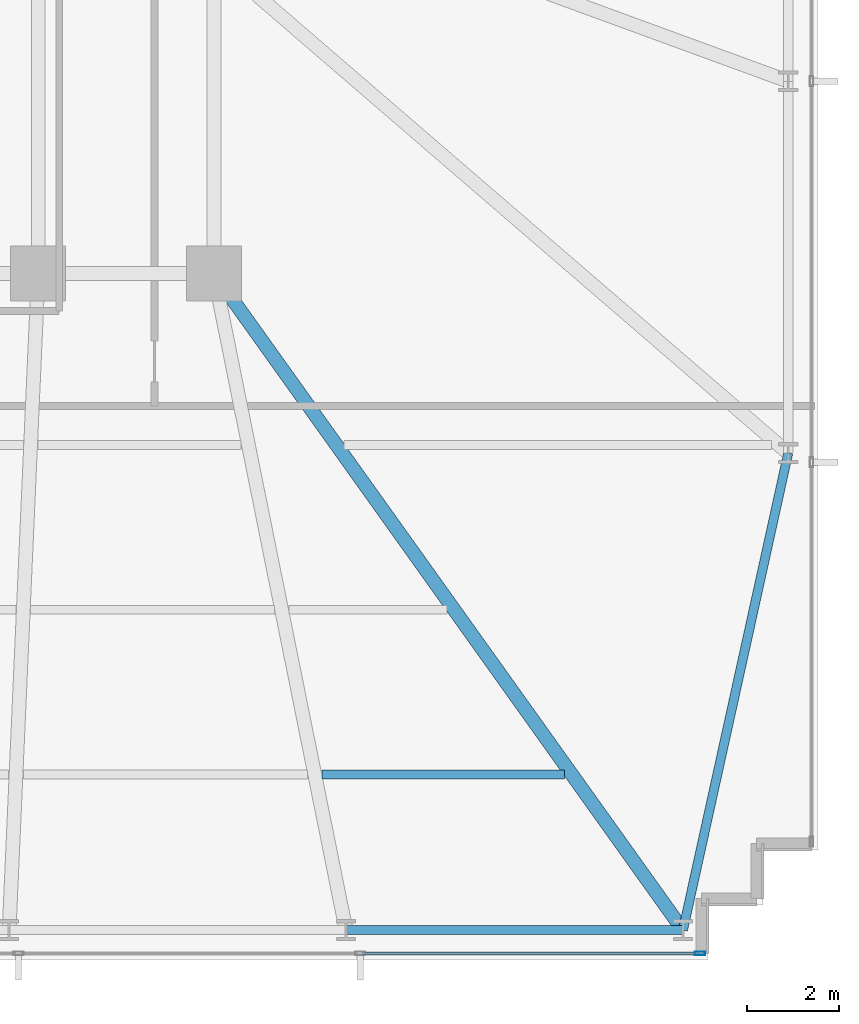
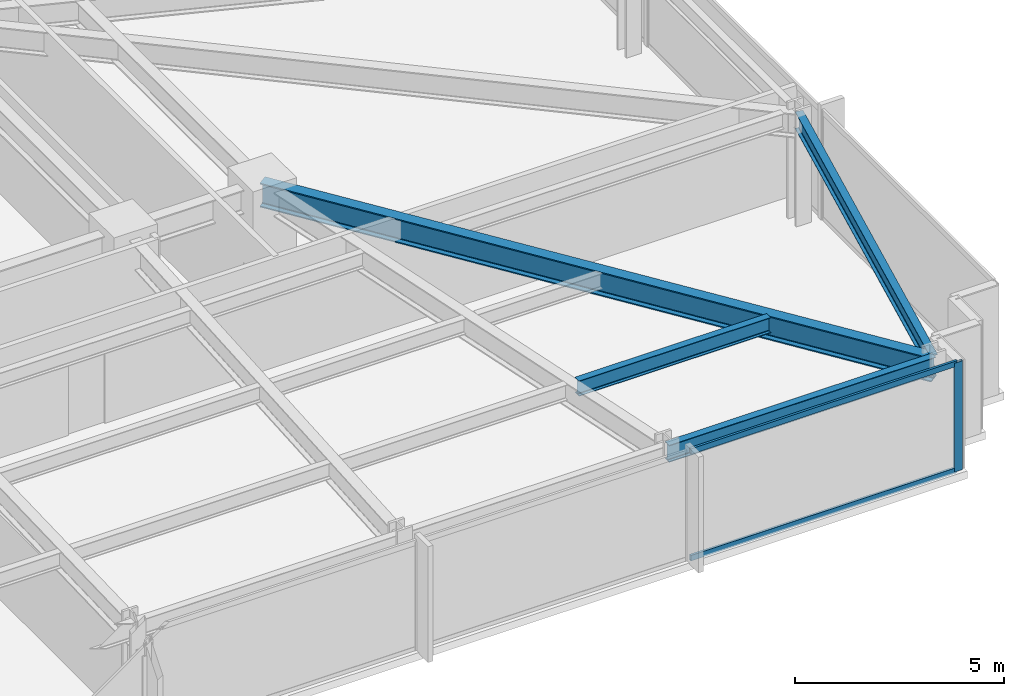
# One storey, part 15 of 32: 4 beams, 3 members, 1 element without a shape of its own.
"""IFC4 building model written with IfcOpenShell, lengths in metres."""

from ifc_helpers import new_model, si_unit, direction, frame, origin, origin_2d, place, context, subcontext, project, spatial, hollow_rectangle, i_section, extrude, material, material_profile, profile_set, type_object, element, aggregate, save


model = new_model("IFC4")

# Units and contexts
model_context = context("Model", 3, precision=1e-05, world=origin(), true_north=direction((0.0, 1.0)))
body_context = subcontext(model_context, "Body", "Model", "MODEL_VIEW")
ifc_project = project(units=[si_unit("LENGTHUNIT", "METRE"), si_unit("AREAUNIT", "SQUARE_METRE"), si_unit("VOLUMEUNIT", "CUBIC_METRE"), si_unit("PLANEANGLEUNIT", "RADIAN"), si_unit("MASSUNIT", "GRAM", prefix="KILO")], contexts=[model_context])

# Site, building, storey
site_placement = place(None, origin())
site = spatial("IfcSite", under=ifc_project, at=site_placement, CompositionType="ELEMENT")
building_placement = place(site_placement, origin())
building = spatial("IfcBuilding", under=site, at=building_placement, Name="Yelkora Congress Tower", CompositionType="ELEMENT")
storey_placement = place(building_placement, frame((0.0, 0.0, 50.800048828125)))
storey = spatial("IfcBuildingStorey", under=building, at=storey_placement, Name="L12", CompositionType="ELEMENT", Elevation=50.800048828125)

# Beams
ifc_material_1 = material(Name="Steel S355J2", Category="steel")
ifc_material_profile_1 = material_profile(ifc_material_1, i_section(OverallWidth=0.300048828125, OverallDepth=0.699951171875, WebThickness=0.01708984375, FlangeThickness=0.031982421875, FilletRadius=0.027099609375, at=origin_2d()), Name="HEB 700")
ifc_profile_set_1 = profile_set([ifc_material_profile_1], Name="Steel S355J2")
beam_type_1 = type_object("IfcBeamType", Name="BM-GIRD-HEB700", PredefinedType="BEAM", material=ifc_profile_set_1)
beam_1_placement = place(storey_placement, frame((67.85009765625, 10.85009765625, 2.829833984375), z_axis=(-0.581242122521, 0.813730664906, 0.0), x_axis=(-0.813730664906, -0.581242122521, 0.0)))
element("IfcBeam", 1, at=beam_1_placement, inside=storey, type_object=beam_type_1, Name="L12 Primary Frame Girder S09", PredefinedType="BEAM", context=body_context, shape_type="SweptSolid", body=[
    extrude(i_section(OverallWidth=0.300048828125, OverallDepth=0.699951171875, WebThickness=0.01708984375, FlangeThickness=0.031982421875, FilletRadius=0.027099609375, at=origin_2d()), origin(), (0.0, 0.0, 1.0), 17.634765625),
])
ifc_material_profile_2 = material_profile(ifc_material_1, i_section(OverallWidth=0.18994140625, OverallDepth=0.449951171875, WebThickness=0.009521484375, FlangeThickness=0.0146484375, FilletRadius=0.02099609375, at=origin_2d()), Name="IPE 450")
ifc_profile_set_2 = profile_set([ifc_material_profile_2], Name="Steel S355J2")
beam_type_2 = type_object("IfcBeamType", Name="BM-JOIST-IPE450", PredefinedType="JOIST", material=ifc_profile_set_2)
beam_2_placement = place(storey_placement, frame((59.96337890625, 14.25, 2.954833984375), z_axis=(1.0, 0.0, 0.0), x_axis=(0.0, 1.0, 0.0)))
element("IfcBeam", 2, at=beam_2_placement, inside=storey, type_object=beam_type_2, Name="L12 Composite Floor Joist 8", PredefinedType="JOIST", context=body_context, shape_type="SweptSolid", body=[
    extrude(i_section(OverallWidth=0.18994140625, OverallDepth=0.449951171875, WebThickness=0.009521484375, FlangeThickness=0.0146484375, FilletRadius=0.02099609375, at=origin_2d()), origin(), (0.0, 0.0, 1.0), 5.298095703125),
])
ifc_material_profile_3 = material_profile(ifc_material_1, i_section(OverallWidth=0.199951171875, OverallDepth=0.5, WebThickness=0.01025390625, FlangeThickness=0.01611328125, FilletRadius=0.02099609375, at=origin_2d()), Name="IPE 500")
ifc_profile_set_3 = profile_set([ifc_material_profile_3], Name="Steel S355J2")
beam_type_3 = type_object("IfcBeamType", Name="BM-SPAN-IPE500", PredefinedType="SPANDREL", material=ifc_profile_set_3)
beam_3_placement = place(storey_placement, frame((60.487548828125, 10.85009765625, 2.929931640625), z_axis=(1.0, 0.0, 0.0), x_axis=(0.0, 1.0, 0.0)))
element("IfcBeam", 3, at=beam_3_placement, inside=storey, type_object=beam_type_3, Name="L12 Perimeter Beam 9", PredefinedType="SPANDREL", context=body_context, shape_type="SweptSolid", body=[
    extrude(i_section(OverallWidth=0.199951171875, OverallDepth=0.5, WebThickness=0.01025390625, FlangeThickness=0.01611328125, FilletRadius=0.02099609375, at=origin_2d()), origin(), (0.0, 0.0, 1.0), 7.362548828125),
])
beam_4_placement = place(storey_placement, frame((67.85009765625, 10.85009765625, 2.929931640625), z_axis=(0.215428898349, 0.97651952861, 0.0), x_axis=(-0.97651952861, 0.215428898349, 0.0)))
element("IfcBeam", 4, at=beam_4_placement, inside=storey, type_object=beam_type_3, Name="L12 Perimeter Beam 10", PredefinedType="SPANDREL", context=body_context, shape_type="SweptSolid", body=[
    extrude(i_section(OverallWidth=0.199951171875, OverallDepth=0.5, WebThickness=0.01025390625, FlangeThickness=0.01611328125, FilletRadius=0.02099609375, at=origin_2d()), origin(), (0.0, 0.0, 1.0), 10.675537109375),
])

# Curtain wall, members
ifc_material_2 = material(Name="Anodised aluminium and insulated glass", Category="aluminium")
curtain_wall_type = type_object("IfcCurtainWallType", Name="CW-SYS-B1", PredefinedType="NOTDEFINED", material=ifc_material_2)
curtain_wall_placement = place(storey_placement, origin())
curtain_wall = element("IfcCurtainWall", 5, at=curtain_wall_placement, inside=storey, type_object=curtain_wall_type, Name="L12 Unitised Curtain Wall 20", PredefinedType="NOTDEFINED")
ifc_material_3 = material(Name="Anodised aluminium 6063-T6", Category="aluminium")
ifc_material_profile_4 = material_profile(ifc_material_3, hollow_rectangle(XDim=0.074951171875, YDim=0.219970703125, WallThickness=0.0048828125, at=origin_2d()), Name="ALU 75x220x5")
ifc_profile_set_4 = profile_set([ifc_material_profile_4], Name="Anodised aluminium 6063-T6")
member_type_1 = type_object("IfcMemberType", Name="MEM-ML-B1", PredefinedType="MULLION", material=ifc_profile_set_4)
member_1_placement = place(storey_placement, frame((68.222412109375, 10.340087890625, 0.0), z_axis=(0.0, 0.0, 1.0), x_axis=(0.0, -1.0, 0.0)))
member_1 = element("IfcMember", 6, at=member_1_placement, type_object=member_type_1, Name="CW-B1 mullion 1", PredefinedType="MULLION", context=body_context, shape_type="SweptSolid", body=[
    extrude(hollow_rectangle(XDim=0.074951171875, YDim=0.219970703125, WallThickness=0.0048828125, at=origin_2d()), origin(), (0.0, 0.0, 1.0), 3.179931640625),
])
ifc_material_profile_5 = material_profile(ifc_material_3, hollow_rectangle(XDim=0.06494140625, YDim=0.159912109375, WallThickness=0.00390625, at=origin_2d()), Name="ALU 65x160x4")
ifc_profile_set_5 = profile_set([ifc_material_profile_5], Name="Anodised aluminium 6063-T6")
member_type_2 = type_object("IfcMemberType", Name="MEM-TR-B1", PredefinedType="USERDEFINED", material=ifc_profile_set_5)
member_2_placement = place(storey_placement, frame((68.18505859375, 10.340087890625, 0.032470703125), z_axis=(-1.0, 0.0, 0.0), x_axis=(0.0, -1.0, 0.0)))
member_2 = element("IfcMember", 7, at=member_2_placement, type_object=member_type_2, Name="CW-B1 transom 1.1", ObjectType="TRANSOM", PredefinedType="USERDEFINED", context=body_context, shape_type="SweptSolid", body=[
    extrude(hollow_rectangle(XDim=0.06494140625, YDim=0.159912109375, WallThickness=0.00390625, at=origin_2d()), origin(), (0.0, 0.0, 1.0), 7.3525390625),
])
member_3_placement = place(storey_placement, frame((68.18505859375, 10.340087890625, 3.1474609375), z_axis=(-1.0, 0.0, 0.0), x_axis=(0.0, -1.0, 0.0)))
member_3 = element("IfcMember", 8, at=member_3_placement, type_object=member_type_2, Name="CW-B1 transom 1.2", ObjectType="TRANSOM", PredefinedType="USERDEFINED", context=body_context, shape_type="SweptSolid", body=[
    extrude(hollow_rectangle(XDim=0.06494140625, YDim=0.159912109375, WallThickness=0.00390625, at=origin_2d()), origin(), (0.0, 0.0, 1.0), 7.3525390625),
])
aggregate(curtain_wall, [member_1, member_2, member_3])

save(model, "model.ifc")
